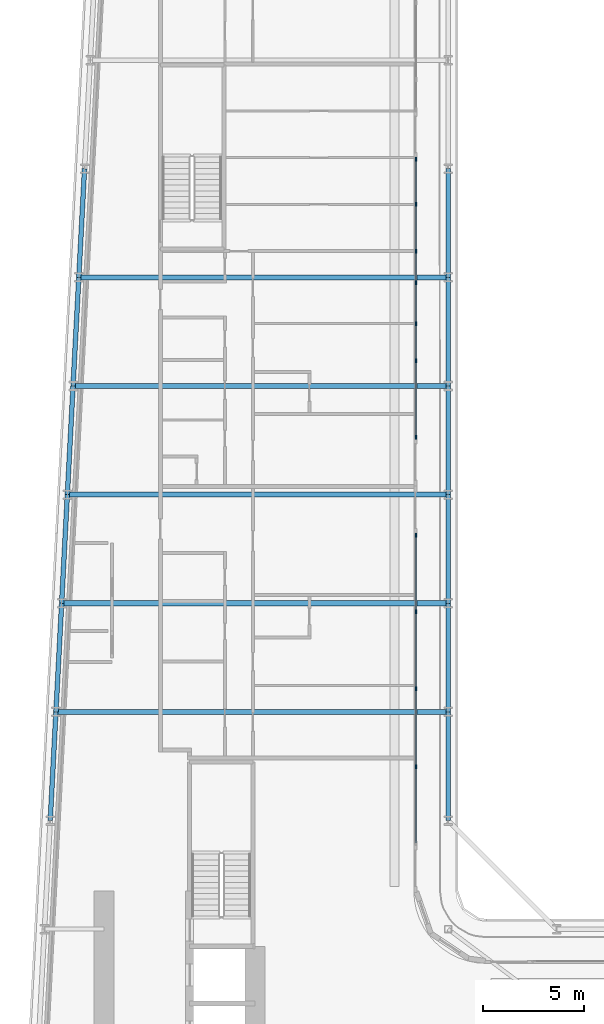
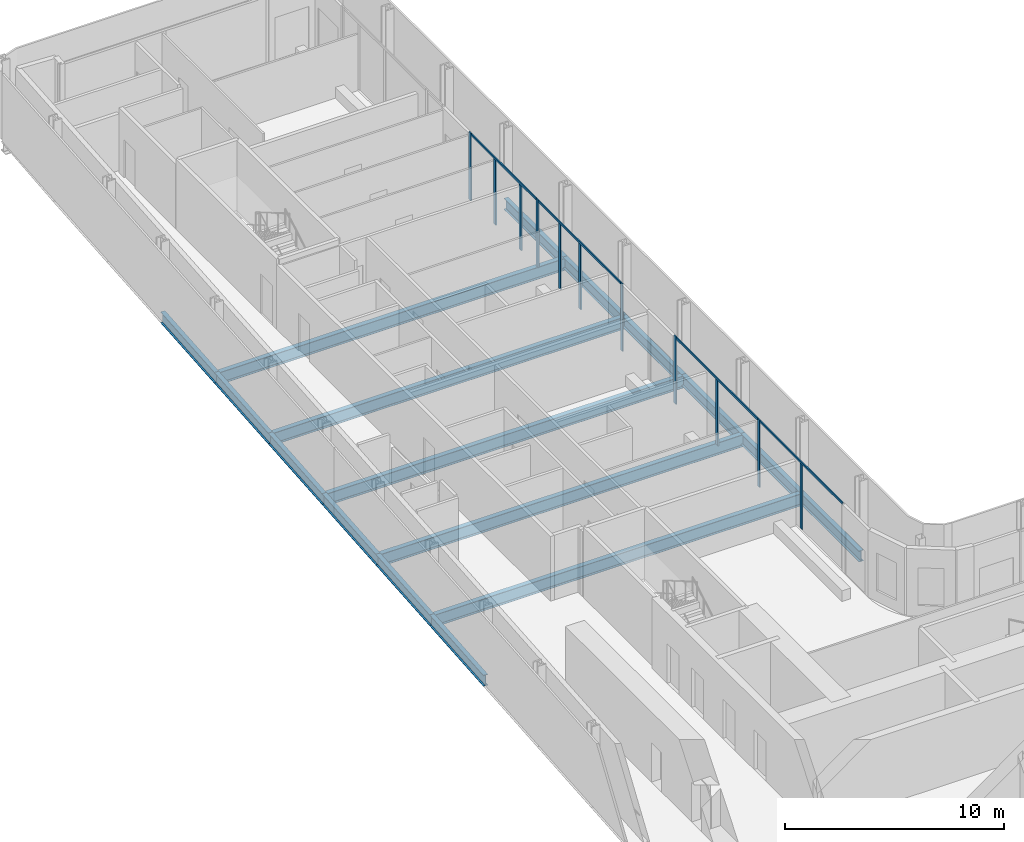
# One storey, part 7 of 27: 17 beams, 15 members, 4 elements without a shape of their own.
"""IFC4 building model written with IfcOpenShell, lengths in metres."""

from ifc_helpers import new_model, si_unit, direction, frame, origin, origin_2d, place, context, subcontext, project, spatial, rectangle, i_section, extrude, material, layer, layer_set, material_profile, profile_set, type_object, element, aggregate, save


model = new_model("IFC4")

# Units and contexts
model_context = context("Model", 3, precision=1e-05, world=origin(), true_north=direction((0.0, 1.0)))
body_context = subcontext(model_context, "Body", "Model", "MODEL_VIEW")
ifc_project = project(units=[si_unit("LENGTHUNIT", "METRE"), si_unit("AREAUNIT", "SQUARE_METRE"), si_unit("VOLUMEUNIT", "CUBIC_METRE"), si_unit("PLANEANGLEUNIT", "RADIAN"), si_unit("MASSUNIT", "GRAM", prefix="KILO")], contexts=[model_context])

# Site, building, storey
site_placement = place(None, origin())
site = spatial("IfcSite", under=ifc_project, at=site_placement, CompositionType="ELEMENT")
building_placement = place(site_placement, origin())
building = spatial("IfcBuilding", under=site, at=building_placement, Name="Kheshtan School and Residences Tower", CompositionType="ELEMENT")
storey_placement = place(building_placement, frame((0.0, 0.0, 57.800048828125)))
storey = spatial("IfcBuildingStorey", under=building, at=storey_placement, Name="L13", CompositionType="ELEMENT", Elevation=57.800048828125)

# Beams
ifc_material_1 = material(Name="Steel ASTM A992 Grade 50", Category="steel")
ifc_material_profile_1 = material_profile(ifc_material_1, i_section(OverallWidth=0.2529296875, OverallDepth=0.677978515625, WebThickness=0.01171875, FlangeThickness=0.016357421875, FilletRadius=0.0146484375, at=origin_2d()), Name="W690x125")
ifc_profile_set_1 = profile_set([ifc_material_profile_1], Name="Steel ASTM A992 Grade 50")
beam_type_1 = type_object("IfcBeamType", Name="Beam FB6 W690x125 ASTM A992 Grade 50", PredefinedType="BEAM", material=ifc_profile_set_1)
beam_1_placement = place(storey_placement, frame((47.60009765625, 72.60009765625, -0.489013671875), z_axis=(-1.0, 0.0, 0.0), x_axis=(0.0, -1.0, 0.0)))
element("IfcBeam", 1, at=beam_1_placement, inside=storey, type_object=beam_type_1, Name="Floor beam C087", PredefinedType="BEAM", context=body_context, shape_type="SweptSolid", body=[
    extrude(i_section(OverallWidth=0.2529296875, OverallDepth=0.677978515625, WebThickness=0.01171875, FlangeThickness=0.016357421875, FilletRadius=0.0146484375, at=origin_2d()), origin(), (0.0, 0.0, 1.0), 18.64208984375),
])
beam_2_placement = place(storey_placement, frame((47.60009765625, 61.800048828125, -0.489013671875), z_axis=(-1.0, 0.0, 0.0), x_axis=(0.0, -1.0, 0.0)))
element("IfcBeam", 2, at=beam_2_placement, inside=storey, type_object=beam_type_1, Name="Floor beam C083", PredefinedType="BEAM", context=body_context, shape_type="SweptSolid", body=[
    extrude(i_section(OverallWidth=0.2529296875, OverallDepth=0.677978515625, WebThickness=0.01171875, FlangeThickness=0.016357421875, FilletRadius=0.0146484375, at=origin_2d()), origin(), (0.0, 0.0, 1.0), 19.210205078125),
])
beam_3_placement = place(storey_placement, frame((28.10595703125, 56.39990234375, -0.489013671875), z_axis=(1.0, 0.0, 0.0), x_axis=(0.0, 1.0, 0.0)))
element("IfcBeam", 3, at=beam_3_placement, inside=storey, type_object=beam_type_1, Name="Floor beam C080", PredefinedType="BEAM", context=body_context, shape_type="SweptSolid", body=[
    extrude(i_section(OverallWidth=0.2529296875, OverallDepth=0.677978515625, WebThickness=0.01171875, FlangeThickness=0.016357421875, FilletRadius=0.0146484375, at=origin_2d()), origin(), (0.0, 0.0, 1.0), 19.494140625),
])
beam_4_placement = place(storey_placement, frame((28.674072265625, 67.199951171875, -0.489013671875), z_axis=(1.0, 0.0, 0.0), x_axis=(0.0, 1.0, 0.0)))
element("IfcBeam", 4, at=beam_4_placement, inside=storey, type_object=beam_type_1, Name="Floor beam C084", PredefinedType="BEAM", context=body_context, shape_type="SweptSolid", body=[
    extrude(i_section(OverallWidth=0.2529296875, OverallDepth=0.677978515625, WebThickness=0.01171875, FlangeThickness=0.016357421875, FilletRadius=0.0146484375, at=origin_2d()), origin(), (0.0, 0.0, 1.0), 18.926025390625),
])
beam_5_placement = place(storey_placement, frame((29.242919921875, 78.0, -0.489013671875), z_axis=(1.0, 0.0, 0.0), x_axis=(0.0, 1.0, 0.0)))
element("IfcBeam", 5, at=beam_5_placement, inside=storey, type_object=beam_type_1, Name="Floor beam C088", PredefinedType="BEAM", context=body_context, shape_type="SweptSolid", body=[
    extrude(i_section(OverallWidth=0.2529296875, OverallDepth=0.677978515625, WebThickness=0.01171875, FlangeThickness=0.016357421875, FilletRadius=0.0146484375, at=origin_2d()), origin(), (0.0, 0.0, 1.0), 18.357177734375),
])
ifc_material_profile_2 = material_profile(ifc_material_1, i_section(OverallWidth=0.22998046875, OverallDepth=0.616943359375, WebThickness=0.01318359375, FlangeThickness=0.022216796875, FilletRadius=0.0185546875, at=origin_2d()), Name="W610x140")
ifc_profile_set_2 = profile_set([ifc_material_profile_2], Name="Steel ASTM A992 Grade 50")
beam_type_2 = type_object("IfcBeamType", Name="Beam SP1 W610x140 ASTM A992 Grade 50", PredefinedType="BEAM", material=ifc_profile_set_2)
for number, where, z_axis, x_axis, name in (
    (6, (47.60009765625, 83.39990234375, -0.45849609375), (0.0, -1.0, 0.0), (1.0, 0.0, 0.0), "Spandrel beam C091-C089"),
    (7, (47.60009765625, 78.0, -0.45849609375), (0.0, -1.0, 0.0), (1.0, 0.0, 0.0), "Spandrel beam C089-C087"),
):
    element("IfcBeam", number, at=place(storey_placement, frame(where, z_axis=z_axis, x_axis=x_axis)), inside=storey, type_object=beam_type_2, Name=name, PredefinedType="BEAM", context=body_context, shape_type="SweptSolid", body=[
        extrude(i_section(OverallWidth=0.22998046875, OverallDepth=0.616943359375, WebThickness=0.01318359375, FlangeThickness=0.022216796875, FilletRadius=0.0185546875, at=origin_2d()), origin(), (0.0, 0.0, 1.0), 5.39990234375),
    ])
beam_6_placement = place(storey_placement, frame((47.60009765625, 72.60009765625, -0.45849609375), z_axis=(0.0, -1.0, 0.0), x_axis=(1.0, 0.0, 0.0)))
element("IfcBeam", 8, at=beam_6_placement, inside=storey, type_object=beam_type_2, Name="Spandrel beam C087-C085", PredefinedType="BEAM", context=body_context, shape_type="SweptSolid", body=[
    extrude(i_section(OverallWidth=0.22998046875, OverallDepth=0.616943359375, WebThickness=0.01318359375, FlangeThickness=0.022216796875, FilletRadius=0.0185546875, at=origin_2d()), origin(), (0.0, 0.0, 1.0), 5.400146484375),
])
beam_7_placement = place(storey_placement, frame((47.60009765625, 67.199951171875, -0.45849609375), z_axis=(0.0, -1.0, 0.0), x_axis=(1.0, 0.0, 0.0)))
element("IfcBeam", 9, at=beam_7_placement, inside=storey, type_object=beam_type_2, Name="Spandrel beam C085-C083", PredefinedType="BEAM", context=body_context, shape_type="SweptSolid", body=[
    extrude(i_section(OverallWidth=0.22998046875, OverallDepth=0.616943359375, WebThickness=0.01318359375, FlangeThickness=0.022216796875, FilletRadius=0.0185546875, at=origin_2d()), origin(), (0.0, 0.0, 1.0), 5.39990234375),
])
beam_8_placement = place(storey_placement, frame((47.60009765625, 61.800048828125, -0.45849609375), z_axis=(0.0, -1.0, 0.0), x_axis=(1.0, 0.0, 0.0)))
element("IfcBeam", 10, at=beam_8_placement, inside=storey, type_object=beam_type_2, Name="Spandrel beam C083-C081", PredefinedType="BEAM", context=body_context, shape_type="SweptSolid", body=[
    extrude(i_section(OverallWidth=0.22998046875, OverallDepth=0.616943359375, WebThickness=0.01318359375, FlangeThickness=0.022216796875, FilletRadius=0.0185546875, at=origin_2d()), origin(), (0.0, 0.0, 1.0), 5.400146484375),
])
beam_9_placement = place(storey_placement, frame((47.60009765625, 56.39990234375, -0.45849609375), z_axis=(0.0, -1.0, 0.0), x_axis=(1.0, 0.0, 0.0)))
element("IfcBeam", 11, at=beam_9_placement, inside=storey, type_object=beam_type_2, Name="Spandrel beam C081-C079", PredefinedType="BEAM", context=body_context, shape_type="SweptSolid", body=[
    extrude(i_section(OverallWidth=0.22998046875, OverallDepth=0.616943359375, WebThickness=0.01318359375, FlangeThickness=0.022216796875, FilletRadius=0.0185546875, at=origin_2d()), origin(), (0.0, 0.0, 1.0), 5.39990234375),
])
beam_10_placement = place(storey_placement, frame((27.822021484375, 51.0, -0.45849609375), z_axis=(0.05250906864, 0.998620447272, 0.0), x_axis=(-0.998620447272, 0.05250906864, 0.0)))
element("IfcBeam", 12, at=beam_10_placement, inside=storey, type_object=beam_type_2, Name="Spandrel beam C078-C080", PredefinedType="BEAM", context=body_context, shape_type="SweptSolid", body=[
    extrude(i_section(OverallWidth=0.22998046875, OverallDepth=0.616943359375, WebThickness=0.01318359375, FlangeThickness=0.022216796875, FilletRadius=0.0185546875, at=origin_2d()), origin(), (0.0, 0.0, 1.0), 5.407470703125),
])
beam_11_placement = place(storey_placement, frame((28.10595703125, 56.39990234375, -0.45849609375), z_axis=(0.05250670125, 0.998620571751, 0.0), x_axis=(-0.998620571751, 0.05250670125, 0.0)))
element("IfcBeam", 13, at=beam_11_placement, inside=storey, type_object=beam_type_2, Name="Spandrel beam C080-C082", PredefinedType="BEAM", context=body_context, shape_type="SweptSolid", body=[
    extrude(i_section(OverallWidth=0.22998046875, OverallDepth=0.616943359375, WebThickness=0.01318359375, FlangeThickness=0.022216796875, FilletRadius=0.0185546875, at=origin_2d()), origin(), (0.0, 0.0, 1.0), 5.40771484375),
])
beam_12_placement = place(storey_placement, frame((28.389892578125, 61.800048828125, -0.45849609375), z_axis=(0.052554093665, 0.998618078766, 0.0), x_axis=(-0.998618078766, 0.052554093665, 0.0)))
element("IfcBeam", 14, at=beam_12_placement, inside=storey, type_object=beam_type_2, Name="Spandrel beam C082-C084", PredefinedType="BEAM", context=body_context, shape_type="SweptSolid", body=[
    extrude(i_section(OverallWidth=0.22998046875, OverallDepth=0.616943359375, WebThickness=0.01318359375, FlangeThickness=0.022216796875, FilletRadius=0.0185546875, at=origin_2d()), origin(), (0.0, 0.0, 1.0), 5.407470703125),
])
beam_13_placement = place(storey_placement, frame((28.674072265625, 67.199951171875, -0.45849609375), z_axis=(0.05250670125, 0.998620571751, 0.0), x_axis=(-0.998620571751, 0.05250670125, 0.0)))
element("IfcBeam", 15, at=beam_13_placement, inside=storey, type_object=beam_type_2, Name="Spandrel beam C084-C086", PredefinedType="BEAM", context=body_context, shape_type="SweptSolid", body=[
    extrude(i_section(OverallWidth=0.22998046875, OverallDepth=0.616943359375, WebThickness=0.01318359375, FlangeThickness=0.022216796875, FilletRadius=0.0185546875, at=origin_2d()), origin(), (0.0, 0.0, 1.0), 5.40771484375),
])
for number, where, z_axis, x_axis, name in (
    (16, (28.9580078125, 72.60009765625, -0.45849609375), (0.052689166816, 0.998610961136, 0.0), (-0.998610961136, 0.052689166816, 0.0), "Spandrel beam C086-C088"),
    (17, (29.242919921875, 78.0, -0.45849609375), (0.052554093665, 0.998618078766, 0.0), (-0.998618078766, 0.052554093665, 0.0), "Spandrel beam C088-C090"),
):
    element("IfcBeam", number, at=place(storey_placement, frame(where, z_axis=z_axis, x_axis=x_axis)), inside=storey, type_object=beam_type_2, Name=name, PredefinedType="BEAM", context=body_context, shape_type="SweptSolid", body=[
        extrude(i_section(OverallWidth=0.22998046875, OverallDepth=0.616943359375, WebThickness=0.01318359375, FlangeThickness=0.022216796875, FilletRadius=0.0185546875, at=origin_2d()), origin(), (0.0, 0.0, 1.0), 5.407470703125),
    ])

# Curtain wall, members
ifc_material_2 = material(Name="Clear low-e glass in thermally broken aluminium frame", Category="aluminium")
ifc_layer = layer(ifc_material_2, 0.199951171875)
ifc_layer_set = layer_set([ifc_layer], Name="Curtain wall CW-L")
curtain_wall_type = type_object("IfcCurtainWallType", Name="Curtain wall CW-L", PredefinedType="NOTDEFINED", material=ifc_layer_set)
curtain_wall_1_placement = place(storey_placement, origin())
curtain_wall_1 = element("IfcCurtainWall", 18, at=curtain_wall_1_placement, inside=storey, type_object=curtain_wall_type, Name="Curtain wall CWL8b", PredefinedType="NOTDEFINED")
ifc_material_3 = material(Name="Thermally broken aluminium, dark bronze anodised", Category="aluminium")
ifc_material_profile_3 = material_profile(ifc_material_3, rectangle(XDim=0.06005859375, YDim=0.199951171875, at=origin_2d()), Name="CW-L mullion 60x200")
ifc_profile_set_3 = profile_set([ifc_material_profile_3], Name="Thermally broken aluminium, dark bronze anodised")
member_type_1 = type_object("IfcMemberType", Name="CW-L mullion 60x200", PredefinedType="MULLION", material=ifc_profile_set_3)
member_1_placement = place(storey_placement, frame((46.0, 83.8759765625, 0.0), z_axis=(0.0, 0.0, 1.0), x_axis=(1.0, 0.0, 0.0)))
member_1 = element("IfcMember", 19, at=member_1_placement, type_object=member_type_1, Name="CWL8b mullion 1", PredefinedType="MULLION", context=body_context, shape_type="SweptSolid", body=[
    extrude(rectangle(XDim=0.06005859375, YDim=0.199951171875, at=origin_2d()), origin(), (0.0, 0.0, 1.0), 3.75),
])
member_2_placement = place(storey_placement, frame((46.0, 81.625, 0.0), z_axis=(0.0, 0.0, 1.0), x_axis=(1.0, 0.0, 0.0)))
member_2 = element("IfcMember", 20, at=member_2_placement, type_object=member_type_1, Name="CWL8b mullion 2", PredefinedType="MULLION", context=body_context, shape_type="SweptSolid", body=[
    extrude(rectangle(XDim=0.06005859375, YDim=0.199951171875, at=origin_2d()), origin(), (0.0, 0.0, 1.0), 3.6298828125),
])
member_3_placement = place(storey_placement, frame((46.0, 79.300048828125, 0.0), z_axis=(0.0, 0.0, 1.0), x_axis=(1.0, 0.0, 0.0)))
member_3 = element("IfcMember", 21, at=member_3_placement, type_object=member_type_1, Name="CWL8b mullion 3", PredefinedType="MULLION", context=body_context, shape_type="SweptSolid", body=[
    extrude(rectangle(XDim=0.06005859375, YDim=0.199951171875, at=origin_2d()), origin(), (0.0, 0.0, 1.0), 3.6298828125),
])
member_4_placement = place(storey_placement, frame((46.0, 77.741943359375, 0.0), z_axis=(0.0, 0.0, 1.0), x_axis=(1.0, 0.0, 0.0)))
member_4 = element("IfcMember", 22, at=member_4_placement, type_object=member_type_1, Name="CWL8b mullion 4", PredefinedType="MULLION", context=body_context, shape_type="SweptSolid", body=[
    extrude(rectangle(XDim=0.06005859375, YDim=0.199951171875, at=origin_2d()), origin(), (0.0, 0.0, 1.0), 3.75),
])

curtain_wall_2_placement = place(storey_placement, origin())
curtain_wall_2 = element("IfcCurtainWall", 23, at=curtain_wall_2_placement, inside=storey, type_object=curtain_wall_type, Name="Curtain wall CWL8c", PredefinedType="NOTDEFINED")
member_5_placement = place(storey_placement, frame((46.0, 75.699951171875, 0.0), z_axis=(0.0, 0.0, 1.0), x_axis=(1.0, 0.0, 0.0)))
member_5 = element("IfcMember", 24, at=member_5_placement, type_object=member_type_1, Name="CWL8c mullion 2", PredefinedType="MULLION", context=body_context, shape_type="SweptSolid", body=[
    extrude(rectangle(XDim=0.06005859375, YDim=0.199951171875, at=origin_2d()), origin(), (0.0, 0.0, 1.0), 3.6298828125),
])
member_6_placement = place(storey_placement, frame((46.0, 73.864990234375, 0.0), z_axis=(0.0, 0.0, 1.0), x_axis=(1.0, 0.0, 0.0)))
member_6 = element("IfcMember", 25, at=member_6_placement, type_object=member_type_1, Name="CWL8c mullion 3", PredefinedType="MULLION", context=body_context, shape_type="SweptSolid", body=[
    extrude(rectangle(XDim=0.06005859375, YDim=0.199951171875, at=origin_2d()), origin(), (0.0, 0.0, 1.0), 3.6298828125),
])
member_7_placement = place(storey_placement, frame((46.0, 70.048095703125, 0.0), z_axis=(0.0, 0.0, 1.0), x_axis=(1.0, 0.0, 0.0)))
member_7 = element("IfcMember", 26, at=member_7_placement, type_object=member_type_1, Name="CWL8c mullion 4", PredefinedType="MULLION", context=body_context, shape_type="SweptSolid", body=[
    extrude(rectangle(XDim=0.06005859375, YDim=0.199951171875, at=origin_2d()), origin(), (0.0, 0.0, 1.0), 3.75),
])

curtain_wall_3_placement = place(storey_placement, origin())
curtain_wall_3 = element("IfcCurtainWall", 27, at=curtain_wall_3_placement, inside=storey, type_object=curtain_wall_type, Name="Curtain wall CWL8", PredefinedType="NOTDEFINED")
member_8_placement = place(storey_placement, frame((46.0, 65.18798828125, 0.0), z_axis=(0.0, 0.0, 1.0), x_axis=(1.0, 0.0, 0.0)))
member_8 = element("IfcMember", 28, at=member_8_placement, type_object=member_type_1, Name="CWL8 mullion 1", PredefinedType="MULLION", context=body_context, shape_type="SweptSolid", body=[
    extrude(rectangle(XDim=0.06005859375, YDim=0.199951171875, at=origin_2d()), origin(), (0.0, 0.0, 1.0), 3.75),
])
member_9_placement = place(storey_placement, frame((46.0, 61.37109375, 0.0), z_axis=(0.0, 0.0, 1.0), x_axis=(1.0, 0.0, 0.0)))
member_9 = element("IfcMember", 29, at=member_9_placement, type_object=member_type_1, Name="CWL8 mullion 2", PredefinedType="MULLION", context=body_context, shape_type="SweptSolid", body=[
    extrude(rectangle(XDim=0.06005859375, YDim=0.199951171875, at=origin_2d()), origin(), (0.0, 0.0, 1.0), 3.6298828125),
])
member_10_placement = place(storey_placement, frame((46.0, 57.553955078125, 0.0), z_axis=(0.0, 0.0, 1.0), x_axis=(1.0, 0.0, 0.0)))
member_10 = element("IfcMember", 30, at=member_10_placement, type_object=member_type_1, Name="CWL8 mullion 3", PredefinedType="MULLION", context=body_context, shape_type="SweptSolid", body=[
    extrude(rectangle(XDim=0.06005859375, YDim=0.199951171875, at=origin_2d()), origin(), (0.0, 0.0, 1.0), 3.75),
])

# Curtain wall, member
curtain_wall_4_placement = place(storey_placement, origin())
curtain_wall_4 = element("IfcCurtainWall", 31, at=curtain_wall_4_placement, inside=storey, type_object=curtain_wall_type, Name="Curtain wall CWL8", PredefinedType="NOTDEFINED")
member_11_placement = place(storey_placement, frame((46.0, 53.677001953125, 0.0), z_axis=(0.0, 0.0, 1.0), x_axis=(1.0, 0.0, 0.0)))
member_11 = element("IfcMember", 32, at=member_11_placement, type_object=member_type_1, Name="CWL8 mullion 2", PredefinedType="MULLION", context=body_context, shape_type="SweptSolid", body=[
    extrude(rectangle(XDim=0.06005859375, YDim=0.199951171875, at=origin_2d()), origin(), (0.0, 0.0, 1.0), 3.6298828125),
])

# Member
ifc_material_profile_4 = material_profile(ifc_material_3, rectangle(XDim=0.06005859375, YDim=0.1201171875, at=origin_2d()), Name="CW-L transom 60x120")
ifc_profile_set_4 = profile_set([ifc_material_profile_4], Name="Thermally broken aluminium, dark bronze anodised")
member_type_2 = type_object("IfcMemberType", Name="CW-L transom 60x120", PredefinedType="USERDEFINED", material=ifc_profile_set_4)
member_12_placement = place(storey_placement, frame((46.0, 83.845947265625, 3.68994140625), z_axis=(0.0, -1.0, 0.0), x_axis=(1.0, 0.0, 0.0)))
member_12 = element("IfcMember", 33, at=member_12_placement, type_object=member_type_2, Name="CWL8b transom 1", ObjectType="TRANSOM", PredefinedType="USERDEFINED", context=body_context, shape_type="SweptSolid", body=[
    extrude(rectangle(XDim=0.06005859375, YDim=0.1201171875, at=origin_2d()), origin(), (0.0, 0.0, 1.0), 6.073974609375),
])

aggregate(curtain_wall_1, [member_1, member_2, member_3, member_4, member_12])

member_13_placement = place(storey_placement, frame((46.0, 77.7119140625, 3.68994140625), z_axis=(0.0, -1.0, 0.0), x_axis=(1.0, 0.0, 0.0)))
member_13 = element("IfcMember", 34, at=member_13_placement, type_object=member_type_2, Name="CWL8c transom 1", ObjectType="TRANSOM", PredefinedType="USERDEFINED", context=body_context, shape_type="SweptSolid", body=[
    extrude(rectangle(XDim=0.06005859375, YDim=0.1201171875, at=origin_2d()), origin(), (0.0, 0.0, 1.0), 7.634033203125),
])

aggregate(curtain_wall_2, [member_5, member_6, member_7, member_13])

member_14_placement = place(storey_placement, frame((46.0, 65.157958984375, 3.68994140625), z_axis=(0.0, -1.0, 0.0), x_axis=(1.0, 0.0, 0.0)))
member_14 = element("IfcMember", 35, at=member_14_placement, type_object=member_type_2, Name="CWL8 transom 1", ObjectType="TRANSOM", PredefinedType="USERDEFINED", context=body_context, shape_type="SweptSolid", body=[
    extrude(rectangle(XDim=0.06005859375, YDim=0.1201171875, at=origin_2d()), origin(), (0.0, 0.0, 1.0), 7.573974609375),
])

aggregate(curtain_wall_3, [member_8, member_9, member_10, member_14])

member_15_placement = place(storey_placement, frame((46.0, 57.52392578125, 3.68994140625), z_axis=(0.0, -1.0, 0.0), x_axis=(1.0, 0.0, 0.0)))
member_15 = element("IfcMember", 36, at=member_15_placement, type_object=member_type_2, Name="CWL8 transom 1", ObjectType="TRANSOM", PredefinedType="USERDEFINED", context=body_context, shape_type="SweptSolid", body=[
    extrude(rectangle(XDim=0.06005859375, YDim=0.1201171875, at=origin_2d()), origin(), (0.0, 0.0, 1.0), 7.634033203125),
])

aggregate(curtain_wall_4, [member_11, member_15])

save(model, "model.ifc")
